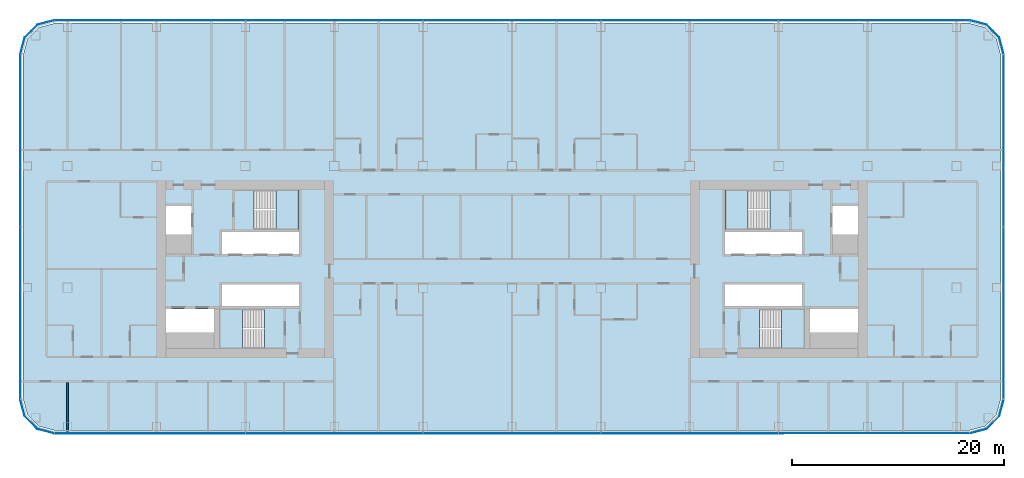
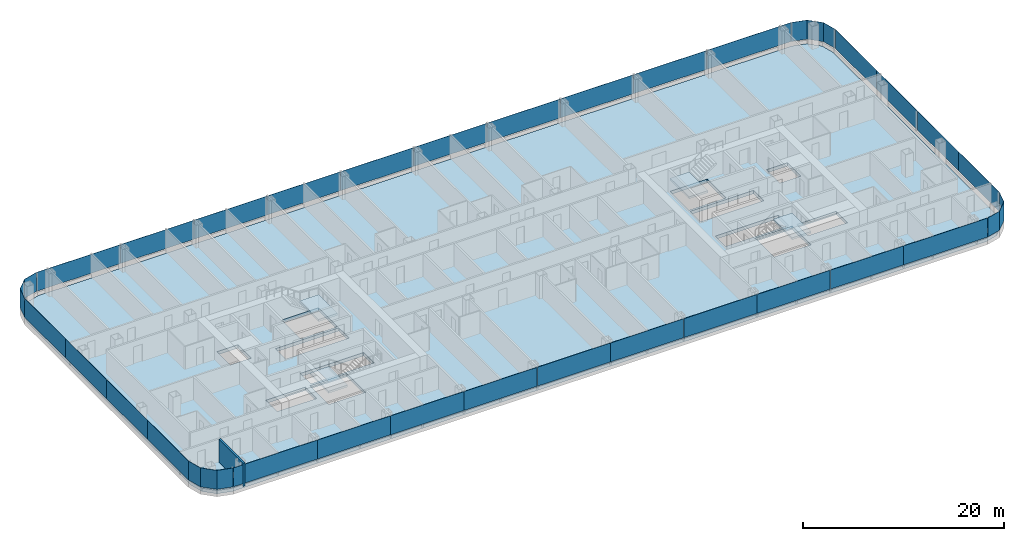
# One storey, part 14 of 29: 32 plates, 5 slabs, 1 wall, 12 elements without a shape of their own.
"""IFC4 building model written with IfcOpenShell, lengths in metres."""

import ifcopenshell
import ifcopenshell.guid

model = None  # the IFC model being written
_history = None  # IfcOwnerHistory: only IFC2X3 demands one
_inside = {}  # id of a spatial element -> (the spatial element, [elements in it])
_under = {}  # id of a project, library or spatial element -> (it, [spatial elements below it])
_declared = {}  # id of a project -> (the project, [libraries it declares])
_typed = {}  # id of a type object -> (the type object, [elements of that type])
_made_of = {}  # id of a material, layer set ... -> (it, [elements and type objects made of it])


def new_model(schema):
    """Start an empty IFC model of exactly this schema.

    Asked for "IFC4X3", IfcOpenShell would pick the latest addendum, in which some entities
    have other attributes; the version numbers below select the first issue.
    IFC2X3 requires an IfcOwnerHistory on every rooted entity: one is made here for all.
    """
    global model, _history
    if schema == "IFC4X3":
        model = ifcopenshell.file(schema_version=(4, 3, 0, 0))
    else:
        model = ifcopenshell.file(schema=schema)
    _inside.clear()
    _under.clear()
    _declared.clear()
    _typed.clear()
    _made_of.clear()
    _history = None
    if model.schema == "IFC2X3":
        org = make("IfcOrganization", Name="unknown")
        user = make(
            "IfcPersonAndOrganization",
            ThePerson=make("IfcPerson", FamilyName="unknown"),
            TheOrganization=org,
        )
        app = make(
            "IfcApplication",
            ApplicationDeveloper=org,
            Version="unknown",
            ApplicationFullName="unknown",
            ApplicationIdentifier="unknown",
        )
        _history = make(
            "IfcOwnerHistory",
            OwningUser=user,
            OwningApplication=app,
            ChangeAction="ADDED",
            CreationDate=0,
        )
    return model


def make(cls, **values):
    """One entity of the class cls with the attributes given. An attribute that is None is left unset."""
    return model.create_entity(
        cls, **{name: value for name, value in values.items() if value is not None}
    )


def rooted(cls, **values):
    """An entity with a GlobalId (a new one), such as an element, a storey or a relation."""
    return make(cls, GlobalId=ifcopenshell.guid.new(), OwnerHistory=_history, **values)


def si_unit(unit_type, name, prefix=None):
    """IfcSIUnit, for example si_unit("LENGTHUNIT", "METRE", prefix="MILLI")."""
    return make("IfcSIUnit", UnitType=unit_type, Prefix=prefix, Name=name)


def assignment(units):
    """IfcUnitAssignment: the units of a project."""
    return None if units is None else make("IfcUnitAssignment", Units=units)


def point(xyz):
    """IfcCartesianPoint."""
    return None if xyz is None else make("IfcCartesianPoint", Coordinates=xyz)


def direction(xyz):
    """IfcDirection."""
    return None if xyz is None else make("IfcDirection", DirectionRatios=xyz)


def frame(location, z_axis=None, x_axis=None):
    """IfcAxis2Placement3D, a coordinate frame: its origin and axes. An axis left out is left unset."""
    return make(
        "IfcAxis2Placement3D",
        Location=point(location),
        Axis=direction(z_axis),
        RefDirection=direction(x_axis),
    )


def frame_2d(location, x_axis=None):
    """IfcAxis2Placement2D, a coordinate frame in the plane: its origin and x axis."""
    return make(
        "IfcAxis2Placement2D", Location=point(location), RefDirection=direction(x_axis)
    )


def origin():
    """The frame at (0, 0, 0) with its axes left unset."""
    return frame((0.0, 0.0, 0.0))


def origin_2d():
    """The frame at (0, 0) in the plane with its x axis left unset."""
    return frame_2d((0.0, 0.0))


def place(relative_to, where):
    """IfcLocalPlacement: puts the frame where relative to a parent placement (None: the world)."""
    return make(
        "IfcLocalPlacement", PlacementRelTo=relative_to, RelativePlacement=where
    )


def context(
    kind, dimensions, precision=None, world=None, true_north=None, identifier=None
):
    """IfcGeometricRepresentationContext, for example the 3D "Model" context."""
    return make(
        "IfcGeometricRepresentationContext",
        ContextIdentifier=identifier,
        ContextType=kind,
        CoordinateSpaceDimension=dimensions,
        Precision=precision,
        WorldCoordinateSystem=world,
        TrueNorth=true_north,
    )


def subcontext(parent, identifier, kind, view, scale=None):
    """IfcGeometricRepresentationSubContext, for example "Body" below "Model"."""
    return make(
        "IfcGeometricRepresentationSubContext",
        ContextIdentifier=identifier,
        ContextType=kind,
        ParentContext=parent,
        TargetScale=scale,
        TargetView=view,
    )


def project(units=None, contexts=None):
    """IfcProject with its units and contexts."""
    return rooted(
        "IfcProject",
        Name="project",
        RepresentationContexts=contexts,
        UnitsInContext=assignment(units),
    )


def spatial(cls, under=None, at=None, **own):
    """A site, building, storey or space (cls), placed at a placement, below another one or the project."""
    s = rooted(cls, ObjectPlacement=at, **own)
    if under is not None:
        _under.setdefault(under.id(), (under, []))[1].append(s)
    return s


def polyline(points):
    """IfcPolyline through the points."""
    return make("IfcPolyline", Points=[point(p) for p in points])


def profile(cls, at=None, kind="AREA", **sizes):
    """A parametric profile (cls). Its sizes go by their IFC names, for example OverallWidth=200.0."""
    return make(cls, ProfileType=kind, Position=at, **sizes)


def rectangle(**sizes):
    """IfcRectangleProfileDef."""
    return profile("IfcRectangleProfileDef", **sizes)


def outline(outer, holes=None, kind="AREA"):
    """IfcArbitraryClosedProfileDef: a profile drawn as a closed curve; with holes, ...WithVoids."""
    if holes is None:
        return make("IfcArbitraryClosedProfileDef", ProfileType=kind, OuterCurve=outer)
    return make(
        "IfcArbitraryProfileDefWithVoids",
        ProfileType=kind,
        OuterCurve=outer,
        InnerCurves=holes,
    )


def extrude(swept, where, along, depth):
    """IfcExtrudedAreaSolid: the profile swept, set in the frame where, extruded along a direction by depth."""
    return make(
        "IfcExtrudedAreaSolid",
        SweptArea=swept,
        Position=where,
        ExtrudedDirection=direction(along),
        Depth=depth,
    )


def shape(context_of_items, identifier, shape_type, items):
    """IfcShapeRepresentation: the items that make up one representation, for example the "Body"."""
    return make(
        "IfcShapeRepresentation",
        ContextOfItems=context_of_items,
        RepresentationIdentifier=identifier,
        RepresentationType=shape_type,
        Items=items,
    )


def material(Name=None, Category=None):
    """IfcMaterial."""
    return make("IfcMaterial", Name=Name, Category=Category)


def layer(
    of_material, thickness, ventilated=None, Name=None, Category=None, Priority=None
):
    """IfcMaterialLayer: one layer of a wall or slab, of a material (None: an air gap)."""
    return make(
        "IfcMaterialLayer",
        Material=of_material,
        LayerThickness=thickness,
        IsVentilated=ventilated,
        Name=Name,
        Category=Category,
        Priority=Priority,
    )


def layer_set(layers, Name=None):
    """IfcMaterialLayerSet."""
    return make("IfcMaterialLayerSet", MaterialLayers=layers, LayerSetName=Name)


def made_of(thing, what):
    """Note that an element or type object is made of a material, layer set ...; save() writes the relation."""
    if what is not None:
        _made_of.setdefault(what.id(), (what, []))[1].append(thing)
    return thing


def type_object(cls, material=None, **own):
    """A type object (cls), such as IfcWallType, which elements share."""
    return made_of(rooted(cls, **own), material)


def element(
    cls,
    number,
    at=None,
    inside=None,
    cuts=None,
    type_object=None,
    material=None,
    context=None,
    identifier="Body",
    shape_type=None,
    held_by="IfcProductDefinitionShape",
    body=None,
    shapes=None,
    **own,
):
    """One element of the class cls, such as IfcWall. Its Tag is "e" and its number.

    at: its placement. inside: the storey or other place that contains it. cuts: it is an
    opening in that element (IfcRelVoidsElement). A single representation is given by context,
    identifier, shape_type and body (its items); several are given by shapes. held_by: the class
    of the entity that holds the representations. save() writes the other relations.
    """
    e = rooted(cls, Tag="e%d" % number, ObjectPlacement=at, **own)
    if body is not None:
        shapes = [shape(context, identifier, shape_type, body)]
    if shapes is not None:
        e.Representation = make(held_by, Representations=shapes)
    if inside is not None:
        _inside.setdefault(inside.id(), (inside, []))[1].append(e)
    if cuts is not None:
        rooted(
            "IfcRelVoidsElement", RelatingBuildingElement=cuts, RelatedOpeningElement=e
        )
    if type_object is not None:
        _typed.setdefault(type_object.id(), (type_object, []))[1].append(e)
    return made_of(e, material)


def aggregate(whole, parts):
    """IfcRelAggregates: a whole, such as a stair, and the parts it consists of."""
    return rooted("IfcRelAggregates", RelatingObject=whole, RelatedObjects=parts)


def save(model, path):
    """Write the relations noted so far, then the file.

    IfcRelAggregates (storeys below a building ...), IfcRelContainedInSpatialStructure (elements
    in a storey), IfcRelDefinesByType, IfcRelAssociatesMaterial and IfcRelDeclares: one each for
    every whole, place, type object, material and project.
    """
    for whole, parts in _under.values():
        aggregate(whole, parts)
    for where, things in _inside.values():
        rooted(
            "IfcRelContainedInSpatialStructure",
            RelatedElements=things,
            RelatingStructure=where,
        )
    for kind, things in _typed.values():
        rooted("IfcRelDefinesByType", RelatedObjects=things, RelatingType=kind)
    for what, things in _made_of.values():
        rooted("IfcRelAssociatesMaterial", RelatedObjects=things, RelatingMaterial=what)
    for by, libraries in _declared.values():
        rooted("IfcRelDeclares", RelatingContext=by, RelatedDefinitions=libraries)
    model.write(path)


model = new_model("IFC4")

# Units and contexts
model_context = context("Model", 3, precision=1e-05, world=origin(), true_north=direction((0.0, 1.0)))
body_context = subcontext(model_context, "Body", "Model", "MODEL_VIEW")
ifc_project = project(units=[si_unit("LENGTHUNIT", "METRE"), si_unit("AREAUNIT", "SQUARE_METRE"), si_unit("VOLUMEUNIT", "CUBIC_METRE"), si_unit("PLANEANGLEUNIT", "RADIAN"), si_unit("MASSUNIT", "GRAM", prefix="KILO")], contexts=[model_context])

# Site, building, storey
site_placement = place(None, origin())
site = spatial("IfcSite", under=ifc_project, at=site_placement, CompositionType="ELEMENT")
building_placement = place(site_placement, origin())
building = spatial("IfcBuilding", under=site, at=building_placement, Name="Hakoniwa Tower and Hamabe Station Hall", CompositionType="ELEMENT")
storey_placement = place(building_placement, frame((0.0, 0.0, 85.0)))
storey = spatial("IfcBuildingStorey", under=building, at=storey_placement, Name="L23", CompositionType="ELEMENT", Elevation=85.0)

# Stair, slab
ifc_material_1 = material(Name="Concrete C40", Category="concrete")
stair_type = type_object("IfcStairType", Name="ESCAPE STAIR 1800", PredefinedType="HALF_TURN_STAIR", material=ifc_material_1)
stair_1_placement = place(storey_placement, origin())
stair_1 = element("IfcStair", 1, at=stair_1_placement, inside=storey, type_object=stair_type, Name="Escape stair ST-1 L23", PredefinedType="HALF_TURN_STAIR")
ifc_material_2 = material(Name="Concrete C40", Category="concrete")
ifc_layer_1 = layer(ifc_material_2, 0.25)
ifc_layer_set_1 = layer_set([ifc_layer_1], Name="CORE STAIR LANDING 250")
slab_type_1 = type_object("IfcSlabType", Name="CORE STAIR LANDING 250", PredefinedType="LANDING", material=ifc_layer_set_1)
slab_1_placement = place(storey_placement, frame((0.0, 0.0, 1.35009765625)))
slab_1 = element("IfcSlab", 2, at=slab_1_placement, type_object=slab_type_1, Name="ST-1 landing 1", PredefinedType="LANDING", context=body_context, shape_type="SweptSolid", body=[
    extrude(outline(polyline([(-22.320068359375, 3.75), (-20.14990234375, 3.75), (-20.14990234375, 7.5), (-22.320068359375, 7.5), (-22.320068359375, 3.75)])), origin(), (0.0, 0.0, 1.0), 0.25),
])
aggregate(stair_1, [slab_1])

stair_2_placement = place(storey_placement, origin())
stair_2 = element("IfcStair", 3, at=stair_2_placement, inside=storey, type_object=stair_type, Name="Escape stair ST-2 L23", PredefinedType="HALF_TURN_STAIR")
slab_2_placement = place(storey_placement, frame((0.0, 0.0, 1.35009765625)))
slab_2 = element("IfcSlab", 4, at=slab_2_placement, type_object=slab_type_1, Name="ST-2 landing 1", PredefinedType="LANDING", context=body_context, shape_type="SweptSolid", body=[
    extrude(outline(polyline([(-25.47998046875, -7.5), (-27.64990234375, -7.5), (-27.64990234375, -3.75), (-25.47998046875, -3.75), (-25.47998046875, -7.5)])), origin(), (0.0, 0.0, 1.0), 0.25),
])
aggregate(stair_2, [slab_2])

stair_3_placement = place(storey_placement, origin())
stair_3 = element("IfcStair", 5, at=stair_3_placement, inside=storey, type_object=stair_type, Name="Escape stair ST-3 L23", PredefinedType="HALF_TURN_STAIR")
slab_3_placement = place(storey_placement, frame((0.0, 0.0, 1.35009765625)))
slab_3 = element("IfcSlab", 6, at=slab_3_placement, type_object=slab_type_1, Name="ST-3 landing 1", PredefinedType="LANDING", context=body_context, shape_type="SweptSolid", body=[
    extrude(outline(polyline([(22.320068359375, 3.75), (20.14990234375, 3.75), (20.14990234375, 7.5), (22.320068359375, 7.5), (22.320068359375, 3.75)])), origin(), (0.0, 0.0, 1.0), 0.25),
])
aggregate(stair_3, [slab_3])

stair_4_placement = place(storey_placement, origin())
stair_4 = element("IfcStair", 7, at=stair_4_placement, inside=storey, type_object=stair_type, Name="Escape stair ST-4 L23", PredefinedType="HALF_TURN_STAIR")
slab_4_placement = place(storey_placement, frame((0.0, 0.0, 1.35009765625)))
slab_4 = element("IfcSlab", 8, at=slab_4_placement, type_object=slab_type_1, Name="ST-4 landing 1", PredefinedType="LANDING", context=body_context, shape_type="SweptSolid", body=[
    extrude(outline(polyline([(25.47998046875, -7.5), (27.64990234375, -7.5), (27.64990234375, -3.75), (25.47998046875, -3.75), (25.47998046875, -7.5)])), origin(), (0.0, 0.0, 1.0), 0.25),
])
aggregate(stair_4, [slab_4])

# Curtain wall, plates
ifc_material_3 = material(Name="Dark low-e laminated glass", Category="glass")
ifc_layer_2 = layer(ifc_material_3, 0.199951171875)
ifc_layer_set_2 = layer_set([ifc_layer_2], Name="CW-1 UNITISED GUEST")
curtain_wall_type = type_object("IfcCurtainWallType", Name="CW-1 UNITISED GUEST", PredefinedType="NOTDEFINED", material=ifc_layer_set_2)
curtain_wall_1_placement = place(storey_placement, origin())
curtain_wall_1 = element("IfcCurtainWall", 9, at=curtain_wall_1_placement, inside=storey, type_object=curtain_wall_type, Name="CW-1 curtain wall", PredefinedType="NOTDEFINED")
ifc_material_4 = material(Name="Dark low-e laminated glass", Category="glass")
ifc_layer_3 = layer(ifc_material_4, 0.028076171875)
ifc_layer_set_3 = layer_set([ifc_layer_3], Name="CW-1 GLASS UNIT")
plate_type = type_object("IfcPlateType", Name="CW-1 GLASS UNIT", PredefinedType="CURTAIN_PANEL", material=ifc_layer_set_3)
plate_1_placement = place(storey_placement, frame((46.486083984375, -8.217041015625, 0.35009765625), z_axis=(0.0, 0.0, 1.0), x_axis=(0.0, 1.0, 0.0)))
plate_1 = element("IfcPlate", 10, at=plate_1_placement, type_object=plate_type, Name="CW-1 glass unit", PredefinedType="CURTAIN_PANEL", context=body_context, shape_type="SweptSolid", body=[
    extrude(rectangle(XDim=8.124755859375, YDim=0.028076171875, at=origin_2d()), origin(), (0.0, 0.0, 1.0), 2.300048828125),
])
plate_2_placement = place(storey_placement, frame((46.486083984375, -0.072265625, 0.35009765625), z_axis=(0.0, 0.0, 1.0), x_axis=(0.0, 1.0, 0.0)))
plate_2 = element("IfcPlate", 11, at=plate_2_placement, type_object=plate_type, Name="CW-1 glass unit", PredefinedType="CURTAIN_PANEL", context=body_context, shape_type="SweptSolid", body=[
    extrude(rectangle(XDim=8.124755859375, YDim=0.028076171875, at=origin_2d()), origin(), (0.0, 0.0, 1.0), 2.300048828125),
])
plate_3_placement = place(storey_placement, frame((46.486083984375, 8.072265625, 0.35009765625), z_axis=(0.0, 0.0, 1.0), x_axis=(0.0, 1.0, 0.0)))
plate_3 = element("IfcPlate", 12, at=plate_3_placement, type_object=plate_type, Name="CW-1 glass unit", PredefinedType="CURTAIN_PANEL", context=body_context, shape_type="SweptSolid", body=[
    extrude(rectangle(XDim=8.124755859375, YDim=0.028076171875, at=origin_2d()), origin(), (0.0, 0.0, 1.0), 2.300048828125),
])
plate_4_placement = place(storey_placement, frame((46.486083984375, 16.217041015625, 0.35009765625), z_axis=(0.0, 0.0, 1.0), x_axis=(0.0, 1.0, 0.0)))
plate_4 = element("IfcPlate", 13, at=plate_4_placement, type_object=plate_type, Name="CW-1 glass unit", PredefinedType="CURTAIN_PANEL", context=body_context, shape_type="SweptSolid", body=[
    extrude(rectangle(XDim=8.124755859375, YDim=0.028076171875, at=origin_2d()), origin(), (0.0, 0.0, 1.0), 2.300048828125),
])
aggregate(curtain_wall_1, [plate_1, plate_2, plate_3, plate_4])

# Curtain wall, plate
curtain_wall_2_placement = place(storey_placement, origin())
curtain_wall_2 = element("IfcCurtainWall", 14, at=curtain_wall_2_placement, inside=storey, type_object=curtain_wall_type, Name="CW-1 curtain wall", PredefinedType="NOTDEFINED")
plate_5_placement = place(storey_placement, frame((0.0, 0.0, 0.35009765625)))
plate_5 = element("IfcPlate", 15, at=plate_5_placement, type_object=plate_type, Name="CW-1 curved corner unit", PredefinedType="CURTAIN_PANEL", context=body_context, shape_type="SweptSolid", body=[
    extrude(outline(polyline([(46.48974609375, 20.328125), (46.067138671875, 21.9052734375), (44.855224609375, 23.116943359375), (43.278076171875, 23.53955078125), (43.27099609375, 23.5126953125), (44.8408203125, 23.092041015625), (46.0419921875, 21.890869140625), (46.462646484375, 20.32080078125), (46.48974609375, 20.328125)])), origin(), (0.0, 0.0, 1.0), 2.2998046875),
])
aggregate(curtain_wall_2, [plate_5])

# Curtain wall, plates
curtain_wall_3_placement = place(storey_placement, origin())
curtain_wall_3 = element("IfcCurtainWall", 16, at=curtain_wall_3_placement, inside=storey, type_object=curtain_wall_type, Name="CW-1 curtain wall", PredefinedType="NOTDEFINED")
plate_6_placement = place(storey_placement, frame((38.419677734375, 23.535888671875, 0.35009765625), z_axis=(0.0, 0.0, 1.0), x_axis=(-1.0, 0.0, 0.0)))
plate_6 = element("IfcPlate", 17, at=plate_6_placement, type_object=plate_type, Name="CW-1 glass unit", PredefinedType="CURTAIN_PANEL", context=body_context, shape_type="SweptSolid", body=[
    extrude(rectangle(XDim=9.619384765625, YDim=0.028076171875, at=origin_2d()), origin(), (0.0, 0.0, 1.0), 2.300048828125),
])
plate_7_placement = place(storey_placement, frame((29.39990234375, 23.535888671875, 0.35009765625), z_axis=(0.0, 0.0, 1.0), x_axis=(-1.0, 0.0, 0.0)))
plate_7 = element("IfcPlate", 18, at=plate_7_placement, type_object=plate_type, Name="CW-1 glass unit", PredefinedType="CURTAIN_PANEL", context=body_context, shape_type="SweptSolid", body=[
    extrude(rectangle(XDim=8.3798828125, YDim=0.028076171875, at=origin_2d()), origin(), (0.0, 0.0, 1.0), 2.300048828125),
])
plate_8_placement = place(storey_placement, frame((21.0, 23.535888671875, 0.35009765625), z_axis=(0.0, 0.0, 1.0), x_axis=(-1.0, 0.0, 0.0)))
plate_8 = element("IfcPlate", 19, at=plate_8_placement, type_object=plate_type, Name="CW-1 glass unit", PredefinedType="CURTAIN_PANEL", context=body_context, shape_type="SweptSolid", body=[
    extrude(rectangle(XDim=8.3798828125, YDim=0.028076171875, at=origin_2d()), origin(), (0.0, 0.0, 1.0), 2.300048828125),
])
plate_9_placement = place(storey_placement, frame((12.60009765625, 23.535888671875, 0.35009765625), z_axis=(0.0, 0.0, 1.0), x_axis=(-1.0, 0.0, 0.0)))
plate_9 = element("IfcPlate", 20, at=plate_9_placement, type_object=plate_type, Name="CW-1 glass unit", PredefinedType="CURTAIN_PANEL", context=body_context, shape_type="SweptSolid", body=[
    extrude(rectangle(XDim=8.3798828125, YDim=0.028076171875, at=origin_2d()), origin(), (0.0, 0.0, 1.0), 2.300048828125),
])
plate_10_placement = place(storey_placement, frame((4.199951171875, 23.535888671875, 0.35009765625), z_axis=(0.0, 0.0, 1.0), x_axis=(-1.0, 0.0, 0.0)))
plate_10 = element("IfcPlate", 21, at=plate_10_placement, type_object=plate_type, Name="CW-1 glass unit", PredefinedType="CURTAIN_PANEL", context=body_context, shape_type="SweptSolid", body=[
    extrude(rectangle(XDim=8.3798828125, YDim=0.028076171875, at=origin_2d()), origin(), (0.0, 0.0, 1.0), 2.300048828125),
])
plate_11_placement = place(storey_placement, frame((-4.199951171875, 23.535888671875, 0.35009765625), z_axis=(0.0, 0.0, 1.0), x_axis=(-1.0, 0.0, 0.0)))
plate_11 = element("IfcPlate", 22, at=plate_11_placement, type_object=plate_type, Name="CW-1 glass unit", PredefinedType="CURTAIN_PANEL", context=body_context, shape_type="SweptSolid", body=[
    extrude(rectangle(XDim=8.3798828125, YDim=0.028076171875, at=origin_2d()), origin(), (0.0, 0.0, 1.0), 2.300048828125),
])
plate_12_placement = place(storey_placement, frame((-12.60009765625, 23.535888671875, 0.35009765625), z_axis=(0.0, 0.0, 1.0), x_axis=(-1.0, 0.0, 0.0)))
plate_12 = element("IfcPlate", 23, at=plate_12_placement, type_object=plate_type, Name="CW-1 glass unit", PredefinedType="CURTAIN_PANEL", context=body_context, shape_type="SweptSolid", body=[
    extrude(rectangle(XDim=8.3798828125, YDim=0.028076171875, at=origin_2d()), origin(), (0.0, 0.0, 1.0), 2.300048828125),
])
plate_13_placement = place(storey_placement, frame((-21.0, 23.535888671875, 0.35009765625), z_axis=(0.0, 0.0, 1.0), x_axis=(-1.0, 0.0, 0.0)))
plate_13 = element("IfcPlate", 24, at=plate_13_placement, type_object=plate_type, Name="CW-1 glass unit", PredefinedType="CURTAIN_PANEL", context=body_context, shape_type="SweptSolid", body=[
    extrude(rectangle(XDim=8.3798828125, YDim=0.028076171875, at=origin_2d()), origin(), (0.0, 0.0, 1.0), 2.300048828125),
])
plate_14_placement = place(storey_placement, frame((-29.39990234375, 23.535888671875, 0.35009765625), z_axis=(0.0, 0.0, 1.0), x_axis=(-1.0, 0.0, 0.0)))
plate_14 = element("IfcPlate", 25, at=plate_14_placement, type_object=plate_type, Name="CW-1 glass unit", PredefinedType="CURTAIN_PANEL", context=body_context, shape_type="SweptSolid", body=[
    extrude(rectangle(XDim=8.3798828125, YDim=0.028076171875, at=origin_2d()), origin(), (0.0, 0.0, 1.0), 2.300048828125),
])
plate_15_placement = place(storey_placement, frame((-38.419677734375, 23.535888671875, 0.35009765625), z_axis=(0.0, 0.0, 1.0), x_axis=(-1.0, 0.0, 0.0)))
plate_15 = element("IfcPlate", 26, at=plate_15_placement, type_object=plate_type, Name="CW-1 glass unit", PredefinedType="CURTAIN_PANEL", context=body_context, shape_type="SweptSolid", body=[
    extrude(rectangle(XDim=9.619384765625, YDim=0.028076171875, at=origin_2d()), origin(), (0.0, 0.0, 1.0), 2.300048828125),
])
aggregate(curtain_wall_3, [plate_6, plate_7, plate_8, plate_9, plate_10, plate_11, plate_12, plate_13, plate_14, plate_15])

# Curtain wall, plate
curtain_wall_4_placement = place(storey_placement, origin())
curtain_wall_4 = element("IfcCurtainWall", 27, at=curtain_wall_4_placement, inside=storey, type_object=curtain_wall_type, Name="CW-1 curtain wall", PredefinedType="NOTDEFINED")
plate_16_placement = place(storey_placement, frame((0.0, 0.0, 0.35009765625)))
plate_16 = element("IfcPlate", 28, at=plate_16_placement, type_object=plate_type, Name="CW-1 curved corner unit", PredefinedType="CURTAIN_PANEL", context=body_context, shape_type="SweptSolid", body=[
    extrude(outline(polyline([(-43.278076171875, 23.53955078125), (-44.855224609375, 23.116943359375), (-46.067138671875, 21.9052734375), (-46.48974609375, 20.328125), (-46.462646484375, 20.32080078125), (-46.0419921875, 21.890869140625), (-44.8408203125, 23.092041015625), (-43.27099609375, 23.5126953125), (-43.278076171875, 23.53955078125)])), origin(), (0.0, 0.0, 1.0), 2.2998046875),
])
aggregate(curtain_wall_4, [plate_16])

# Curtain wall, plates
curtain_wall_5_placement = place(storey_placement, origin())
curtain_wall_5 = element("IfcCurtainWall", 29, at=curtain_wall_5_placement, inside=storey, type_object=curtain_wall_type, Name="CW-1 curtain wall", PredefinedType="NOTDEFINED")
plate_17_placement = place(storey_placement, frame((-46.486083984375, 16.217041015625, 0.35009765625), z_axis=(0.0, 0.0, 1.0), x_axis=(0.0, -1.0, 0.0)))
plate_17 = element("IfcPlate", 30, at=plate_17_placement, type_object=plate_type, Name="CW-1 glass unit", PredefinedType="CURTAIN_PANEL", context=body_context, shape_type="SweptSolid", body=[
    extrude(rectangle(XDim=8.124755859375, YDim=0.028076171875, at=origin_2d()), origin(), (0.0, 0.0, 1.0), 2.300048828125),
])
plate_18_placement = place(storey_placement, frame((-46.486083984375, 8.072265625, 0.35009765625), z_axis=(0.0, 0.0, 1.0), x_axis=(0.0, -1.0, 0.0)))
plate_18 = element("IfcPlate", 31, at=plate_18_placement, type_object=plate_type, Name="CW-1 glass unit", PredefinedType="CURTAIN_PANEL", context=body_context, shape_type="SweptSolid", body=[
    extrude(rectangle(XDim=8.124755859375, YDim=0.028076171875, at=origin_2d()), origin(), (0.0, 0.0, 1.0), 2.300048828125),
])
plate_19_placement = place(storey_placement, frame((-46.486083984375, -0.072265625, 0.35009765625), z_axis=(0.0, 0.0, 1.0), x_axis=(0.0, -1.0, 0.0)))
plate_19 = element("IfcPlate", 32, at=plate_19_placement, type_object=plate_type, Name="CW-1 glass unit", PredefinedType="CURTAIN_PANEL", context=body_context, shape_type="SweptSolid", body=[
    extrude(rectangle(XDim=8.124755859375, YDim=0.028076171875, at=origin_2d()), origin(), (0.0, 0.0, 1.0), 2.300048828125),
])
plate_20_placement = place(storey_placement, frame((-46.486083984375, -8.217041015625, 0.35009765625), z_axis=(0.0, 0.0, 1.0), x_axis=(0.0, -1.0, 0.0)))
plate_20 = element("IfcPlate", 33, at=plate_20_placement, type_object=plate_type, Name="CW-1 glass unit", PredefinedType="CURTAIN_PANEL", context=body_context, shape_type="SweptSolid", body=[
    extrude(rectangle(XDim=8.124755859375, YDim=0.028076171875, at=origin_2d()), origin(), (0.0, 0.0, 1.0), 2.300048828125),
])
aggregate(curtain_wall_5, [plate_17, plate_18, plate_19, plate_20])

# Curtain wall, plate
curtain_wall_6_placement = place(storey_placement, origin())
curtain_wall_6 = element("IfcCurtainWall", 34, at=curtain_wall_6_placement, inside=storey, type_object=curtain_wall_type, Name="CW-1 curtain wall", PredefinedType="NOTDEFINED")
plate_21_placement = place(storey_placement, frame((0.0, 0.0, 0.35009765625)))
plate_21 = element("IfcPlate", 35, at=plate_21_placement, type_object=plate_type, Name="CW-1 curved corner unit", PredefinedType="CURTAIN_PANEL", context=body_context, shape_type="SweptSolid", body=[
    extrude(outline(polyline([(-46.48974609375, -12.328125), (-46.067138671875, -13.9052734375), (-44.855224609375, -15.116943359375), (-43.278076171875, -15.53955078125), (-43.27099609375, -15.5126953125), (-44.8408203125, -15.092041015625), (-46.0419921875, -13.890869140625), (-46.462646484375, -12.32080078125), (-46.48974609375, -12.328125)])), origin(), (0.0, 0.0, 1.0), 2.2998046875),
])
aggregate(curtain_wall_6, [plate_21])

# Curtain wall, plates
curtain_wall_7_placement = place(storey_placement, origin())
curtain_wall_7 = element("IfcCurtainWall", 36, at=curtain_wall_7_placement, inside=storey, type_object=curtain_wall_type, Name="CW-1 curtain wall", PredefinedType="NOTDEFINED")
plate_22_placement = place(storey_placement, frame((-38.419677734375, -15.535888671875, 0.35009765625), z_axis=(0.0, 0.0, 1.0), x_axis=(1.0, 0.0, 0.0)))
plate_22 = element("IfcPlate", 37, at=plate_22_placement, type_object=plate_type, Name="CW-1 glass unit", PredefinedType="CURTAIN_PANEL", context=body_context, shape_type="SweptSolid", body=[
    extrude(rectangle(XDim=9.619384765625, YDim=0.028076171875, at=origin_2d()), origin(), (0.0, 0.0, 1.0), 2.300048828125),
])
plate_23_placement = place(storey_placement, frame((-29.39990234375, -15.535888671875, 0.35009765625), z_axis=(0.0, 0.0, 1.0), x_axis=(1.0, 0.0, 0.0)))
plate_23 = element("IfcPlate", 38, at=plate_23_placement, type_object=plate_type, Name="CW-1 glass unit", PredefinedType="CURTAIN_PANEL", context=body_context, shape_type="SweptSolid", body=[
    extrude(rectangle(XDim=8.3798828125, YDim=0.028076171875, at=origin_2d()), origin(), (0.0, 0.0, 1.0), 2.300048828125),
])
plate_24_placement = place(storey_placement, frame((-21.0, -15.535888671875, 0.35009765625), z_axis=(0.0, 0.0, 1.0), x_axis=(1.0, 0.0, 0.0)))
plate_24 = element("IfcPlate", 39, at=plate_24_placement, type_object=plate_type, Name="CW-1 glass unit", PredefinedType="CURTAIN_PANEL", context=body_context, shape_type="SweptSolid", body=[
    extrude(rectangle(XDim=8.3798828125, YDim=0.028076171875, at=origin_2d()), origin(), (0.0, 0.0, 1.0), 2.300048828125),
])
plate_25_placement = place(storey_placement, frame((-12.60009765625, -15.535888671875, 0.35009765625), z_axis=(0.0, 0.0, 1.0), x_axis=(1.0, 0.0, 0.0)))
plate_25 = element("IfcPlate", 40, at=plate_25_placement, type_object=plate_type, Name="CW-1 glass unit", PredefinedType="CURTAIN_PANEL", context=body_context, shape_type="SweptSolid", body=[
    extrude(rectangle(XDim=8.3798828125, YDim=0.028076171875, at=origin_2d()), origin(), (0.0, 0.0, 1.0), 2.300048828125),
])
plate_26_placement = place(storey_placement, frame((-4.199951171875, -15.535888671875, 0.35009765625), z_axis=(0.0, 0.0, 1.0), x_axis=(1.0, 0.0, 0.0)))
plate_26 = element("IfcPlate", 41, at=plate_26_placement, type_object=plate_type, Name="CW-1 glass unit", PredefinedType="CURTAIN_PANEL", context=body_context, shape_type="SweptSolid", body=[
    extrude(rectangle(XDim=8.3798828125, YDim=0.028076171875, at=origin_2d()), origin(), (0.0, 0.0, 1.0), 2.300048828125),
])
plate_27_placement = place(storey_placement, frame((4.199951171875, -15.535888671875, 0.35009765625), z_axis=(0.0, 0.0, 1.0), x_axis=(1.0, 0.0, 0.0)))
plate_27 = element("IfcPlate", 42, at=plate_27_placement, type_object=plate_type, Name="CW-1 glass unit", PredefinedType="CURTAIN_PANEL", context=body_context, shape_type="SweptSolid", body=[
    extrude(rectangle(XDim=8.3798828125, YDim=0.028076171875, at=origin_2d()), origin(), (0.0, 0.0, 1.0), 2.300048828125),
])
plate_28_placement = place(storey_placement, frame((12.60009765625, -15.535888671875, 0.35009765625), z_axis=(0.0, 0.0, 1.0), x_axis=(1.0, 0.0, 0.0)))
plate_28 = element("IfcPlate", 43, at=plate_28_placement, type_object=plate_type, Name="CW-1 glass unit", PredefinedType="CURTAIN_PANEL", context=body_context, shape_type="SweptSolid", body=[
    extrude(rectangle(XDim=8.3798828125, YDim=0.028076171875, at=origin_2d()), origin(), (0.0, 0.0, 1.0), 2.300048828125),
])
plate_29_placement = place(storey_placement, frame((21.0, -15.535888671875, 0.35009765625), z_axis=(0.0, 0.0, 1.0), x_axis=(1.0, 0.0, 0.0)))
plate_29 = element("IfcPlate", 44, at=plate_29_placement, type_object=plate_type, Name="CW-1 glass unit", PredefinedType="CURTAIN_PANEL", context=body_context, shape_type="SweptSolid", body=[
    extrude(rectangle(XDim=8.3798828125, YDim=0.028076171875, at=origin_2d()), origin(), (0.0, 0.0, 1.0), 2.300048828125),
])
plate_30_placement = place(storey_placement, frame((29.39990234375, -15.535888671875, 0.35009765625), z_axis=(0.0, 0.0, 1.0), x_axis=(1.0, 0.0, 0.0)))
plate_30 = element("IfcPlate", 45, at=plate_30_placement, type_object=plate_type, Name="CW-1 glass unit", PredefinedType="CURTAIN_PANEL", context=body_context, shape_type="SweptSolid", body=[
    extrude(rectangle(XDim=8.3798828125, YDim=0.028076171875, at=origin_2d()), origin(), (0.0, 0.0, 1.0), 2.300048828125),
])
plate_31_placement = place(storey_placement, frame((38.419677734375, -15.535888671875, 0.35009765625), z_axis=(0.0, 0.0, 1.0), x_axis=(1.0, 0.0, 0.0)))
plate_31 = element("IfcPlate", 46, at=plate_31_placement, type_object=plate_type, Name="CW-1 glass unit", PredefinedType="CURTAIN_PANEL", context=body_context, shape_type="SweptSolid", body=[
    extrude(rectangle(XDim=9.619384765625, YDim=0.028076171875, at=origin_2d()), origin(), (0.0, 0.0, 1.0), 2.300048828125),
])
aggregate(curtain_wall_7, [plate_22, plate_23, plate_24, plate_25, plate_26, plate_27, plate_28, plate_29, plate_30, plate_31])

# Curtain wall, plate
curtain_wall_8_placement = place(storey_placement, origin())
curtain_wall_8 = element("IfcCurtainWall", 47, at=curtain_wall_8_placement, inside=storey, type_object=curtain_wall_type, Name="CW-1 curtain wall", PredefinedType="NOTDEFINED")
plate_32_placement = place(storey_placement, frame((0.0, 0.0, 0.35009765625)))
plate_32 = element("IfcPlate", 48, at=plate_32_placement, type_object=plate_type, Name="CW-1 curved corner unit", PredefinedType="CURTAIN_PANEL", context=body_context, shape_type="SweptSolid", body=[
    extrude(outline(polyline([(43.278076171875, -15.53955078125), (44.855224609375, -15.116943359375), (46.067138671875, -13.9052734375), (46.48974609375, -12.328125), (46.462646484375, -12.32080078125), (46.0419921875, -13.890869140625), (44.8408203125, -15.092041015625), (43.27099609375, -15.5126953125), (43.278076171875, -15.53955078125)])), origin(), (0.0, 0.0, 1.0), 2.2998046875),
])
aggregate(curtain_wall_8, [plate_32])

# Slab
ifc_material_5 = material(Name="Concrete C42", Category="concrete")
ifc_layer_4 = layer(ifc_material_5, 0.39990234375)
ifc_layer_set_4 = layer_set([ifc_layer_4], Name="PT FLAT PLATE 400")
slab_type_2 = type_object("IfcSlabType", Name="PT FLAT PLATE 400", PredefinedType="FLOOR", material=ifc_layer_set_4)
slab_5_placement = place(storey_placement, frame((0.0, 0.0, -0.39990234375)))
element("IfcSlab", 49, at=slab_5_placement, inside=storey, type_object=slab_type_2, Name="Floor slab L23", PredefinedType="FLOOR", context=body_context, shape_type="SweptSolid", body=[
    extrude(outline(polyline([(46.199951171875, -12.25), (46.199951171875, 20.25), (45.798095703125, 21.75), (44.699951171875, 22.84814453125), (43.199951171875, 23.25), (-43.199951171875, 23.25), (-44.699951171875, 22.84814453125), (-45.798095703125, 21.75), (-46.199951171875, 20.25), (-46.199951171875, -12.25), (-45.798095703125, -13.75), (-44.699951171875, -14.84814453125), (-43.199951171875, -15.25), (43.199951171875, -15.25), (44.699951171875, -14.84814453125), (45.798095703125, -13.75), (46.199951171875, -12.25)]), holes=[polyline([(-27.39990234375, 1.449951171875), (-27.39990234375, 3.5), (-20.14990234375, 3.5), (-20.14990234375, 1.449951171875), (-27.39990234375, 1.449951171875)]), polyline([(-27.39990234375, -3.5), (-27.39990234375, -1.449951171875), (-20.14990234375, -1.449951171875), (-20.14990234375, -3.5), (-27.39990234375, -3.5)]), polyline([(-32.699951171875, 3.300048828125), (-32.699951171875, 5.949951171875), (-30.300048828125, 5.949951171875), (-30.300048828125, 3.300048828125), (-32.699951171875, 3.300048828125)]), polyline([(-32.699951171875, -6.0), (-32.699951171875, -3.75), (-28.14990234375, -3.75), (-28.14990234375, -6.0), (-32.699951171875, -6.0)]), polyline([(-24.389892578125, 3.75), (-24.389892578125, 7.5), (-20.14990234375, 7.5), (-20.14990234375, 3.75), (-24.389892578125, 3.75)]), polyline([(-27.64990234375, -7.5), (-27.64990234375, -3.75), (-23.409912109375, -3.75), (-23.409912109375, -7.5), (-27.64990234375, -7.5)]), polyline([(20.14990234375, 1.449951171875), (20.14990234375, 3.5), (27.39990234375, 3.5), (27.39990234375, 1.449951171875), (20.14990234375, 1.449951171875)]), polyline([(20.14990234375, -3.5), (20.14990234375, -1.449951171875), (27.39990234375, -1.449951171875), (27.39990234375, -3.5), (20.14990234375, -3.5)]), polyline([(30.300048828125, 3.300048828125), (30.300048828125, 5.949951171875), (32.699951171875, 5.949951171875), (32.699951171875, 3.300048828125), (30.300048828125, 3.300048828125)]), polyline([(28.14990234375, -6.0), (28.14990234375, -3.75), (32.699951171875, -3.75), (32.699951171875, -6.0), (28.14990234375, -6.0)]), polyline([(20.14990234375, 3.75), (20.14990234375, 7.5), (24.389892578125, 7.5), (24.389892578125, 3.75), (20.14990234375, 3.75)]), polyline([(23.409912109375, -7.5), (23.409912109375, -3.75), (27.64990234375, -3.75), (27.64990234375, -7.5), (23.409912109375, -7.5)])]), origin(), (0.0, 0.0, 1.0), 0.39990234375),
])

# Wall
ifc_material_6 = material(Name="Fire-rated gypsum board partition", Category="gypsum")
ifc_layer_5 = layer(ifc_material_6, 0.199951171875)
ifc_layer_set_5 = layer_set([ifc_layer_5], Name="Party Wall 200")
wall_type = type_object("IfcWallType", Name="Party Wall 200", PredefinedType="PARTITIONING", material=ifc_layer_set_5)
wall_placement = place(storey_placement, frame((-42.0, -15.550048828125, 0.0), z_axis=(0.0, 0.0, 1.0), x_axis=(0.0, 1.0, 0.0)))
element("IfcWall", 50, at=wall_placement, inside=storey, type_object=wall_type, Name="GW-L23-033", PredefinedType="PARTITIONING", context=body_context, shape_type="SweptSolid", body=[
    extrude(rectangle(XDim=4.85009765625, YDim=0.199951171875, at=frame_2d((2.425048828125, 0.0))), origin(), (0.0, 0.0, 1.0), 2.800048828125),
])

save(model, "model.ifc")
